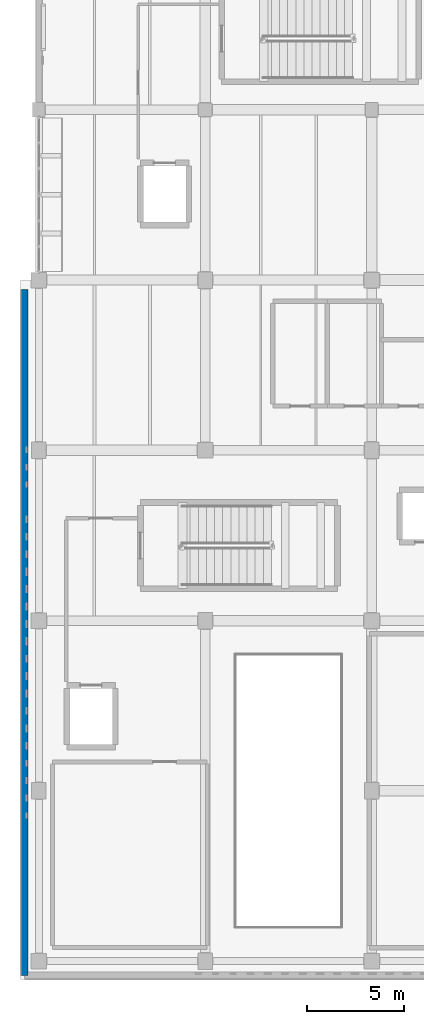
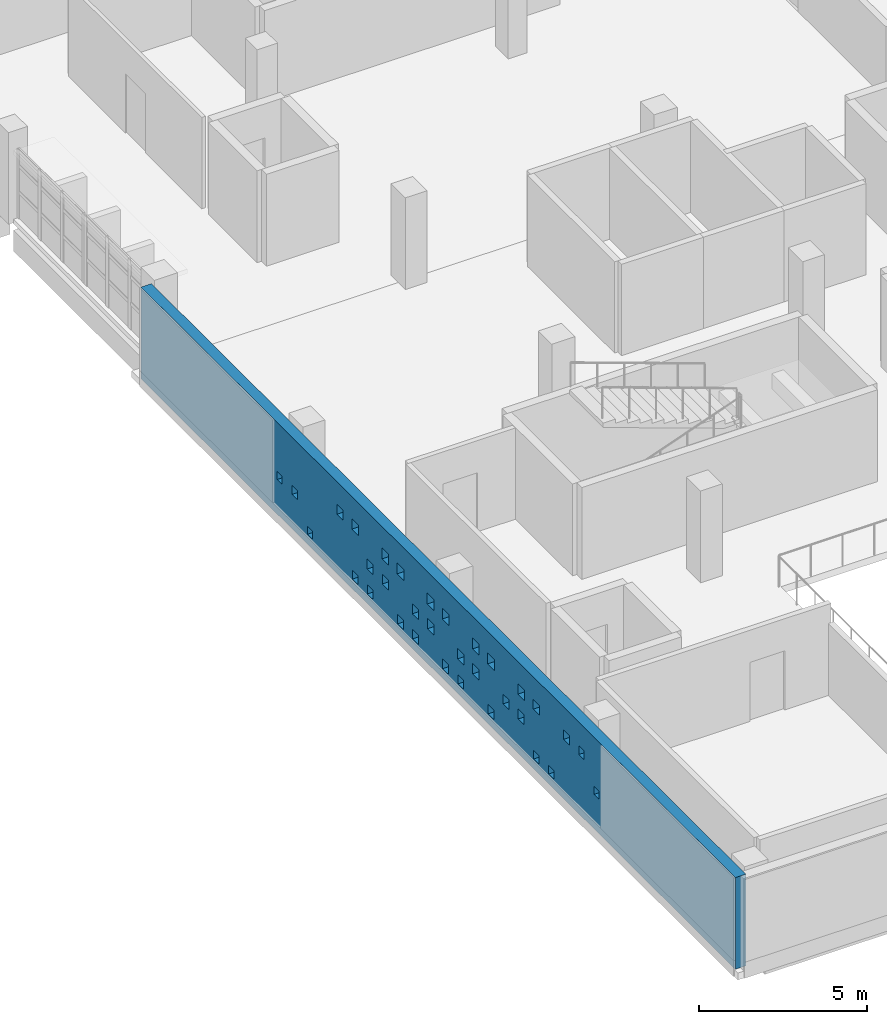
# One storey, part 56 of 75: 1 wall, 33 openings.
"""IFC4 building model written with IfcOpenShell, lengths in metres."""

from ifc_helpers import new_model, si_unit, direction, frame, frame_2d, origin, place, context, subcontext, project, spatial, rectangle, extrude, material, layer, layer_set, type_object, element, save


model = new_model("IFC4")

# Units and contexts
model_context = context("Model", 3, precision=1e-05, world=origin(), true_north=direction((0.0, 1.0)))
body_context = subcontext(model_context, "Body", "Model", "MODEL_VIEW")
ifc_project = project(units=[si_unit("LENGTHUNIT", "METRE"), si_unit("AREAUNIT", "SQUARE_METRE"), si_unit("VOLUMEUNIT", "CUBIC_METRE"), si_unit("PLANEANGLEUNIT", "RADIAN"), si_unit("MASSUNIT", "GRAM", prefix="KILO")], contexts=[model_context])

# Site, building, storey
site_placement = place(None, origin())
site = spatial("IfcSite", under=ifc_project, at=site_placement, CompositionType="ELEMENT")
building_placement = place(site_placement, origin())
building = spatial("IfcBuilding", under=site, at=building_placement, Name="Varnakota Cinema and Media Centre", CompositionType="ELEMENT")
storey_placement = place(building_placement, frame((0.0, 0.0, 8.39990234375)))
storey = spatial("IfcBuildingStorey", under=building, at=storey_placement, Name="L02", CompositionType="ELEMENT", Elevation=8.39990234375)

# Wall, openings
ifc_material = material(Name="Pale Tandur limestone cladding", Category="masonry")
ifc_layer = layer(ifc_material, 0.360107421875)
ifc_layer_set = layer_set([ifc_layer], Name="Pale Tandur limestone cladding")
wall_type = type_object("IfcWallType", Name="W-EXT-TANDUR-360", PredefinedType="SOLIDWALL", material=ifc_layer_set)
wall_placement = place(storey_placement, frame((-0.739990234375, -0.739990234375, 0.0), z_axis=(0.0, 0.0, 1.0), x_axis=(0.0, 1.0, 0.0)))
wall = element("IfcWall", 1, at=wall_placement, inside=storey, type_object=wall_type, Name="L02 V4 pale Tandur stone monolith wall V4-W", PredefinedType="SOLIDWALL", context=body_context, shape_type="SweptSolid", body=[
    extrude(rectangle(XDim=35.43994140625, YDim=0.360107421875, at=frame_2d((17.719970703125, 0.0))), origin(), (0.0, 0.0, 1.0), 3.340087890625),
])
opening_1_placement = place(wall_placement, frame((8.1201171875, 0.0, 1.260009765625)))
element("IfcOpeningElement", 2, at=opening_1_placement, cuts=wall, Name="Opening WP14", PredefinedType="OPENING", context=body_context, shape_type="SweptSolid", body=[
    extrude(rectangle(XDim=0.300048828125, YDim=0.300048828125, at=frame_2d((0.14990234375, 0.14990234375))), frame((0.0, 0.18017578125, 0.0), z_axis=(0.0, -1.0, 0.0), x_axis=(1.0, 0.0, 0.0)), (0.0, 0.0, 1.0), 0.360107421875),
])
opening_2_placement = place(wall_placement, frame((9.010009765625, 0.0, 2.159912109375)))
element("IfcOpeningElement", 3, at=opening_2_placement, cuts=wall, Name="Opening WP13", PredefinedType="OPENING", context=body_context, shape_type="SweptSolid", body=[
    extrude(rectangle(XDim=0.320068359375, YDim=0.320068359375, at=frame_2d((0.16015625, 0.16015625))), frame((0.0, 0.18017578125, 0.0), z_axis=(0.0, -1.0, 0.0), x_axis=(1.0, 0.0, 0.0)), (0.0, 0.0, 1.0), 0.360107421875),
])
opening_3_placement = place(wall_placement, frame((9.89990234375, 0.0, 2.159912109375)))
element("IfcOpeningElement", 4, at=opening_3_placement, cuts=wall, Name="Opening WP12", PredefinedType="OPENING", context=body_context, shape_type="SweptSolid", body=[
    extrude(rectangle(XDim=0.340087890625, YDim=0.340087890625, at=frame_2d((0.169921875, 0.169921875))), frame((0.0, 0.18017578125, 0.0), z_axis=(0.0, -1.0, 0.0), x_axis=(1.0, 0.0, 0.0)), (0.0, 0.0, 1.0), 0.360107421875),
])
opening_4_placement = place(wall_placement, frame((10.81005859375, 0.0, 0.360107421875)))
element("IfcOpeningElement", 5, at=opening_4_placement, cuts=wall, Name="Opening WP13", PredefinedType="OPENING", context=body_context, shape_type="SweptSolid", body=[
    extrude(rectangle(XDim=0.320068359375, YDim=0.320068359375, at=frame_2d((0.16015625, 0.16015625))), frame((0.0, 0.18017578125, 0.0), z_axis=(0.0, -1.0, 0.0), x_axis=(1.0, 0.0, 0.0)), (0.0, 0.0, 1.0), 0.360107421875),
])
opening_5_placement = place(wall_placement, frame((11.7099609375, 0.0, 0.360107421875)))
element("IfcOpeningElement", 6, at=opening_5_placement, cuts=wall, Name="Opening WP13", PredefinedType="OPENING", context=body_context, shape_type="SweptSolid", body=[
    extrude(rectangle(XDim=0.320068359375, YDim=0.320068359375, at=frame_2d((0.16015625, 0.16015625))), frame((0.0, 0.18017578125, 0.0), z_axis=(0.0, -1.0, 0.0), x_axis=(1.0, 0.0, 0.0)), (0.0, 0.0, 1.0), 0.360107421875),
])
opening_6_placement = place(wall_placement, frame((11.68994140625, 0.0, 2.159912109375)))
element("IfcOpeningElement", 7, at=opening_6_placement, cuts=wall, Name="Opening WP11", PredefinedType="OPENING", context=body_context, shape_type="SweptSolid", body=[
    extrude(rectangle(XDim=0.360107421875, YDim=0.360107421875, at=frame_2d((0.18017578125, 0.18017578125))), frame((0.0, 0.18017578125, 0.0), z_axis=(0.0, -1.0, 0.0), x_axis=(1.0, 0.0, 0.0)), (0.0, 0.0, 1.0), 0.360107421875),
])
opening_7_placement = place(wall_placement, frame((12.590087890625, 0.0, 1.260009765625)))
element("IfcOpeningElement", 8, at=opening_7_placement, cuts=wall, Name="Opening WP11", PredefinedType="OPENING", context=body_context, shape_type="SweptSolid", body=[
    extrude(rectangle(XDim=0.360107421875, YDim=0.360107421875, at=frame_2d((0.18017578125, 0.18017578125))), frame((0.0, 0.18017578125, 0.0), z_axis=(0.0, -1.0, 0.0), x_axis=(1.0, 0.0, 0.0)), (0.0, 0.0, 1.0), 0.360107421875),
])
opening_8_placement = place(wall_placement, frame((12.580078125, 0.0, 2.159912109375)))
element("IfcOpeningElement", 9, at=opening_8_placement, cuts=wall, Name="Opening WP10", PredefinedType="OPENING", context=body_context, shape_type="SweptSolid", body=[
    extrude(rectangle(XDim=0.3798828125, YDim=0.3798828125, at=frame_2d((0.18994140625, 0.18994140625))), frame((0.0, 0.18017578125, 0.0), z_axis=(0.0, -1.0, 0.0), x_axis=(1.0, 0.0, 0.0)), (0.0, 0.0, 1.0), 0.360107421875),
])
opening_9_placement = place(wall_placement, frame((13.489990234375, 0.0, 1.260009765625)))
element("IfcOpeningElement", 10, at=opening_9_placement, cuts=wall, Name="Opening WP11", PredefinedType="OPENING", context=body_context, shape_type="SweptSolid", body=[
    extrude(rectangle(XDim=0.360107421875, YDim=0.360107421875, at=frame_2d((0.18017578125, 0.18017578125))), frame((0.0, 0.18017578125, 0.0), z_axis=(0.0, -1.0, 0.0), x_axis=(1.0, 0.0, 0.0)), (0.0, 0.0, 1.0), 0.360107421875),
])
opening_10_placement = place(wall_placement, frame((14.39990234375, 0.0, 0.360107421875)))
element("IfcOpeningElement", 11, at=opening_10_placement, cuts=wall, Name="Opening WP12", PredefinedType="OPENING", context=body_context, shape_type="SweptSolid", body=[
    extrude(rectangle(XDim=0.340087890625, YDim=0.340087890625, at=frame_2d((0.169921875, 0.169921875))), frame((0.0, 0.18017578125, 0.0), z_axis=(0.0, -1.0, 0.0), x_axis=(1.0, 0.0, 0.0)), (0.0, 0.0, 1.0), 0.360107421875),
])
opening_11_placement = place(wall_placement, frame((14.3701171875, 0.0, 2.159912109375)))
element("IfcOpeningElement", 12, at=opening_11_placement, cuts=wall, Name="Opening WP09", PredefinedType="OPENING", context=body_context, shape_type="SweptSolid", body=[
    extrude(rectangle(XDim=0.39990234375, YDim=0.39990234375, at=frame_2d((0.199951171875, 0.199951171875))), frame((0.0, 0.18017578125, 0.0), z_axis=(0.0, -1.0, 0.0), x_axis=(1.0, 0.0, 0.0)), (0.0, 0.0, 1.0), 0.360107421875),
])
opening_12_placement = place(wall_placement, frame((15.280029296875, 0.0, 1.260009765625)))
element("IfcOpeningElement", 13, at=opening_12_placement, cuts=wall, Name="Opening WP10", PredefinedType="OPENING", context=body_context, shape_type="SweptSolid", body=[
    extrude(rectangle(XDim=0.3798828125, YDim=0.3798828125, at=frame_2d((0.18994140625, 0.18994140625))), frame((0.0, 0.18017578125, 0.0), z_axis=(0.0, -1.0, 0.0), x_axis=(1.0, 0.0, 0.0)), (0.0, 0.0, 1.0), 0.360107421875),
])
opening_13_placement = place(wall_placement, frame((15.27001953125, 0.0, 2.159912109375)))
element("IfcOpeningElement", 14, at=opening_13_placement, cuts=wall, Name="Opening WP09", PredefinedType="OPENING", context=body_context, shape_type="SweptSolid", body=[
    extrude(rectangle(XDim=0.39990234375, YDim=0.39990234375, at=frame_2d((0.199951171875, 0.199951171875))), frame((0.0, 0.18017578125, 0.0), z_axis=(0.0, -1.0, 0.0), x_axis=(1.0, 0.0, 0.0)), (0.0, 0.0, 1.0), 0.360107421875),
])
opening_14_placement = place(wall_placement, frame((16.199951171875, 0.0, 0.360107421875)))
element("IfcOpeningElement", 15, at=opening_14_placement, cuts=wall, Name="Opening WP12", PredefinedType="OPENING", context=body_context, shape_type="SweptSolid", body=[
    extrude(rectangle(XDim=0.340087890625, YDim=0.340087890625, at=frame_2d((0.169921875, 0.169921875))), frame((0.0, 0.18017578125, 0.0), z_axis=(0.0, -1.0, 0.0), x_axis=(1.0, 0.0, 0.0)), (0.0, 0.0, 1.0), 0.360107421875),
])
opening_15_placement = place(wall_placement, frame((16.179931640625, 0.0, 1.260009765625)))
element("IfcOpeningElement", 16, at=opening_15_placement, cuts=wall, Name="Opening WP10", PredefinedType="OPENING", context=body_context, shape_type="SweptSolid", body=[
    extrude(rectangle(XDim=0.3798828125, YDim=0.3798828125, at=frame_2d((0.18994140625, 0.18994140625))), frame((0.0, 0.18017578125, 0.0), z_axis=(0.0, -1.0, 0.0), x_axis=(1.0, 0.0, 0.0)), (0.0, 0.0, 1.0), 0.360107421875),
])
opening_16_placement = place(wall_placement, frame((17.090087890625, 0.0, 0.360107421875)))
element("IfcOpeningElement", 17, at=opening_16_placement, cuts=wall, Name="Opening WP11", PredefinedType="OPENING", context=body_context, shape_type="SweptSolid", body=[
    extrude(rectangle(XDim=0.360107421875, YDim=0.360107421875, at=frame_2d((0.18017578125, 0.18017578125))), frame((0.0, 0.18017578125, 0.0), z_axis=(0.0, -1.0, 0.0), x_axis=(1.0, 0.0, 0.0)), (0.0, 0.0, 1.0), 0.360107421875),
])
opening_17_placement = place(wall_placement, frame((17.070068359375, 0.0, 2.159912109375)))
element("IfcOpeningElement", 18, at=opening_17_placement, cuts=wall, Name="Opening WP09", PredefinedType="OPENING", context=body_context, shape_type="SweptSolid", body=[
    extrude(rectangle(XDim=0.39990234375, YDim=0.39990234375, at=frame_2d((0.199951171875, 0.199951171875))), frame((0.0, 0.18017578125, 0.0), z_axis=(0.0, -1.0, 0.0), x_axis=(1.0, 0.0, 0.0)), (0.0, 0.0, 1.0), 0.360107421875),
])
opening_18_placement = place(wall_placement, frame((17.97998046875, 0.0, 1.260009765625)))
element("IfcOpeningElement", 19, at=opening_18_placement, cuts=wall, Name="Opening WP10", PredefinedType="OPENING", context=body_context, shape_type="SweptSolid", body=[
    extrude(rectangle(XDim=0.3798828125, YDim=0.3798828125, at=frame_2d((0.18994140625, 0.18994140625))), frame((0.0, 0.18017578125, 0.0), z_axis=(0.0, -1.0, 0.0), x_axis=(1.0, 0.0, 0.0)), (0.0, 0.0, 1.0), 0.360107421875),
])
opening_19_placement = place(wall_placement, frame((17.969970703125, 0.0, 2.159912109375)))
element("IfcOpeningElement", 20, at=opening_19_placement, cuts=wall, Name="Opening WP09", PredefinedType="OPENING", context=body_context, shape_type="SweptSolid", body=[
    extrude(rectangle(XDim=0.39990234375, YDim=0.39990234375, at=frame_2d((0.199951171875, 0.199951171875))), frame((0.0, 0.18017578125, 0.0), z_axis=(0.0, -1.0, 0.0), x_axis=(1.0, 0.0, 0.0)), (0.0, 0.0, 1.0), 0.360107421875),
])
opening_20_placement = place(wall_placement, frame((18.89990234375, 0.0, 0.360107421875)))
element("IfcOpeningElement", 21, at=opening_20_placement, cuts=wall, Name="Opening WP12", PredefinedType="OPENING", context=body_context, shape_type="SweptSolid", body=[
    extrude(rectangle(XDim=0.340087890625, YDim=0.340087890625, at=frame_2d((0.169921875, 0.169921875))), frame((0.0, 0.18017578125, 0.0), z_axis=(0.0, -1.0, 0.0), x_axis=(1.0, 0.0, 0.0)), (0.0, 0.0, 1.0), 0.360107421875),
])
opening_21_placement = place(wall_placement, frame((18.8798828125, 0.0, 1.260009765625)))
element("IfcOpeningElement", 22, at=opening_21_placement, cuts=wall, Name="Opening WP10", PredefinedType="OPENING", context=body_context, shape_type="SweptSolid", body=[
    extrude(rectangle(XDim=0.3798828125, YDim=0.3798828125, at=frame_2d((0.18994140625, 0.18994140625))), frame((0.0, 0.18017578125, 0.0), z_axis=(0.0, -1.0, 0.0), x_axis=(1.0, 0.0, 0.0)), (0.0, 0.0, 1.0), 0.360107421875),
])
opening_22_placement = place(wall_placement, frame((19.800048828125, 0.0, 0.360107421875)))
element("IfcOpeningElement", 23, at=opening_22_placement, cuts=wall, Name="Opening WP12", PredefinedType="OPENING", context=body_context, shape_type="SweptSolid", body=[
    extrude(rectangle(XDim=0.340087890625, YDim=0.340087890625, at=frame_2d((0.169921875, 0.169921875))), frame((0.0, 0.18017578125, 0.0), z_axis=(0.0, -1.0, 0.0), x_axis=(1.0, 0.0, 0.0)), (0.0, 0.0, 1.0), 0.360107421875),
])
opening_23_placement = place(wall_placement, frame((19.77001953125, 0.0, 2.159912109375)))
element("IfcOpeningElement", 24, at=opening_23_placement, cuts=wall, Name="Opening WP09", PredefinedType="OPENING", context=body_context, shape_type="SweptSolid", body=[
    extrude(rectangle(XDim=0.39990234375, YDim=0.39990234375, at=frame_2d((0.199951171875, 0.199951171875))), frame((0.0, 0.18017578125, 0.0), z_axis=(0.0, -1.0, 0.0), x_axis=(1.0, 0.0, 0.0)), (0.0, 0.0, 1.0), 0.360107421875),
])
opening_24_placement = place(wall_placement, frame((20.68994140625, 0.0, 1.260009765625)))
element("IfcOpeningElement", 25, at=opening_24_placement, cuts=wall, Name="Opening WP11", PredefinedType="OPENING", context=body_context, shape_type="SweptSolid", body=[
    extrude(rectangle(XDim=0.360107421875, YDim=0.360107421875, at=frame_2d((0.18017578125, 0.18017578125))), frame((0.0, 0.18017578125, 0.0), z_axis=(0.0, -1.0, 0.0), x_axis=(1.0, 0.0, 0.0)), (0.0, 0.0, 1.0), 0.360107421875),
])
opening_25_placement = place(wall_placement, frame((20.669921875, 0.0, 2.159912109375)))
element("IfcOpeningElement", 26, at=opening_25_placement, cuts=wall, Name="Opening WP09", PredefinedType="OPENING", context=body_context, shape_type="SweptSolid", body=[
    extrude(rectangle(XDim=0.39990234375, YDim=0.39990234375, at=frame_2d((0.199951171875, 0.199951171875))), frame((0.0, 0.18017578125, 0.0), z_axis=(0.0, -1.0, 0.0), x_axis=(1.0, 0.0, 0.0)), (0.0, 0.0, 1.0), 0.360107421875),
])
opening_26_placement = place(wall_placement, frame((21.60009765625, 0.0, 0.360107421875)))
element("IfcOpeningElement", 27, at=opening_26_placement, cuts=wall, Name="Opening WP12", PredefinedType="OPENING", context=body_context, shape_type="SweptSolid", body=[
    extrude(rectangle(XDim=0.340087890625, YDim=0.340087890625, at=frame_2d((0.169921875, 0.169921875))), frame((0.0, 0.18017578125, 0.0), z_axis=(0.0, -1.0, 0.0), x_axis=(1.0, 0.0, 0.0)), (0.0, 0.0, 1.0), 0.360107421875),
])
opening_27_placement = place(wall_placement, frame((21.590087890625, 0.0, 1.260009765625)))
element("IfcOpeningElement", 28, at=opening_27_placement, cuts=wall, Name="Opening WP11", PredefinedType="OPENING", context=body_context, shape_type="SweptSolid", body=[
    extrude(rectangle(XDim=0.360107421875, YDim=0.360107421875, at=frame_2d((0.18017578125, 0.18017578125))), frame((0.0, 0.18017578125, 0.0), z_axis=(0.0, -1.0, 0.0), x_axis=(1.0, 0.0, 0.0)), (0.0, 0.0, 1.0), 0.360107421875),
])
opening_28_placement = place(wall_placement, frame((22.510009765625, 0.0, 0.360107421875)))
element("IfcOpeningElement", 29, at=opening_28_placement, cuts=wall, Name="Opening WP13", PredefinedType="OPENING", context=body_context, shape_type="SweptSolid", body=[
    extrude(rectangle(XDim=0.320068359375, YDim=0.320068359375, at=frame_2d((0.16015625, 0.16015625))), frame((0.0, 0.18017578125, 0.0), z_axis=(0.0, -1.0, 0.0), x_axis=(1.0, 0.0, 0.0)), (0.0, 0.0, 1.0), 0.360107421875),
])
opening_29_placement = place(wall_placement, frame((22.47998046875, 0.0, 2.159912109375)))
element("IfcOpeningElement", 30, at=opening_29_placement, cuts=wall, Name="Opening WP10", PredefinedType="OPENING", context=body_context, shape_type="SweptSolid", body=[
    extrude(rectangle(XDim=0.3798828125, YDim=0.3798828125, at=frame_2d((0.18994140625, 0.18994140625))), frame((0.0, 0.18017578125, 0.0), z_axis=(0.0, -1.0, 0.0), x_axis=(1.0, 0.0, 0.0)), (0.0, 0.0, 1.0), 0.360107421875),
])
opening_30_placement = place(wall_placement, frame((23.389892578125, 0.0, 2.159912109375)))
element("IfcOpeningElement", 31, at=opening_30_placement, cuts=wall, Name="Opening WP11", PredefinedType="OPENING", context=body_context, shape_type="SweptSolid", body=[
    extrude(rectangle(XDim=0.360107421875, YDim=0.360107421875, at=frame_2d((0.18017578125, 0.18017578125))), frame((0.0, 0.18017578125, 0.0), z_axis=(0.0, -1.0, 0.0), x_axis=(1.0, 0.0, 0.0)), (0.0, 0.0, 1.0), 0.360107421875),
])
opening_31_placement = place(wall_placement, frame((25.219970703125, 0.0, 0.360107421875)))
element("IfcOpeningElement", 32, at=opening_31_placement, cuts=wall, Name="Opening WP14", PredefinedType="OPENING", context=body_context, shape_type="SweptSolid", body=[
    extrude(rectangle(XDim=0.300048828125, YDim=0.300048828125, at=frame_2d((0.14990234375, 0.14990234375))), frame((0.0, 0.18017578125, 0.0), z_axis=(0.0, -1.0, 0.0), x_axis=(1.0, 0.0, 0.0)), (0.0, 0.0, 1.0), 0.360107421875),
])
opening_32_placement = place(wall_placement, frame((26.110107421875, 0.0, 1.260009765625)))
element("IfcOpeningElement", 33, at=opening_32_placement, cuts=wall, Name="Opening WP13", PredefinedType="OPENING", context=body_context, shape_type="SweptSolid", body=[
    extrude(rectangle(XDim=0.320068359375, YDim=0.320068359375, at=frame_2d((0.16015625, 0.16015625))), frame((0.0, 0.18017578125, 0.0), z_axis=(0.0, -1.0, 0.0), x_axis=(1.0, 0.0, 0.0)), (0.0, 0.0, 1.0), 0.360107421875),
])
opening_33_placement = place(wall_placement, frame((27.02001953125, 0.0, 1.260009765625)))
element("IfcOpeningElement", 34, at=opening_33_placement, cuts=wall, Name="Opening WP14", PredefinedType="OPENING", context=body_context, shape_type="SweptSolid", body=[
    extrude(rectangle(XDim=0.300048828125, YDim=0.300048828125, at=frame_2d((0.14990234375, 0.14990234375))), frame((0.0, 0.18017578125, 0.0), z_axis=(0.0, -1.0, 0.0), x_axis=(1.0, 0.0, 0.0)), (0.0, 0.0, 1.0), 0.360107421875),
])

save(model, "model.ifc")
